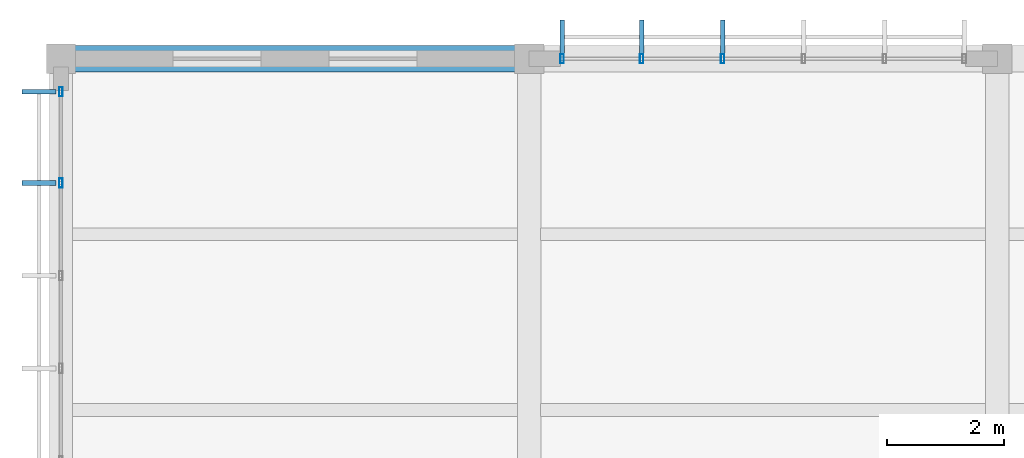
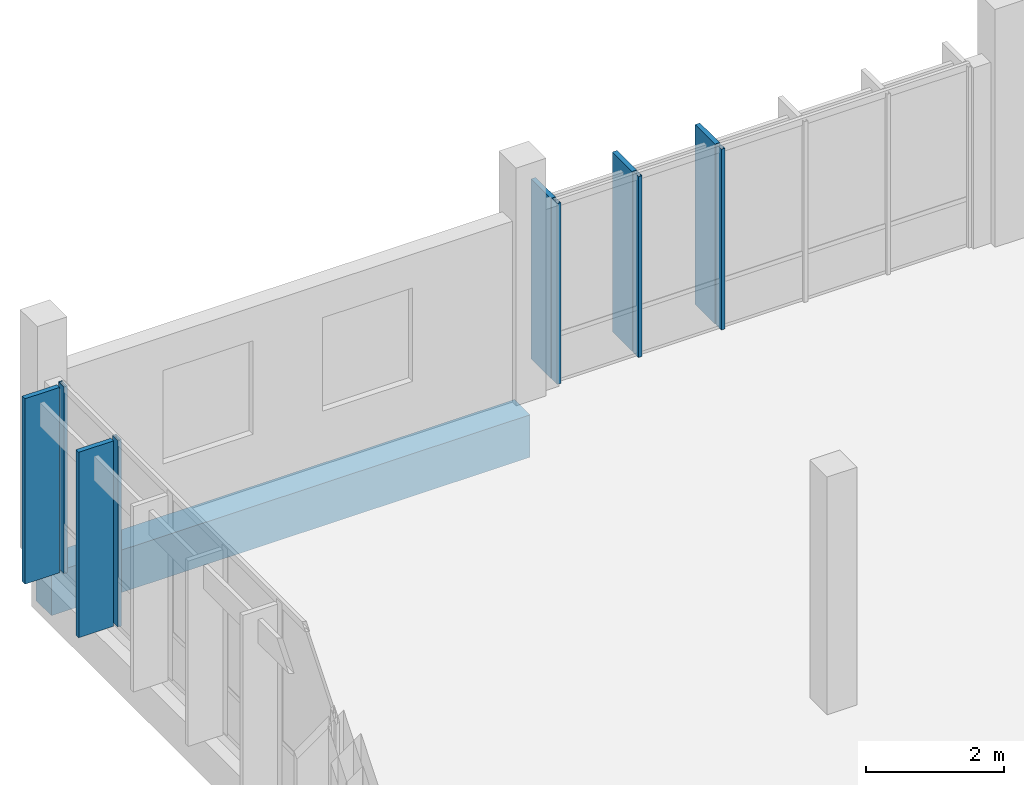
# One storey, part 62 of 107: 10 members, 1 beam, 2 elements without a shape of their own.
"""IFC4 building model written with IfcOpenShell, lengths in metres."""

from ifc_helpers import new_model, si_unit, direction, frame, origin, origin_2d, place, context, subcontext, project, spatial, rectangle, hollow_rectangle, extrude, material, material_profile, profile_set, type_object, element, aggregate, save


model = new_model("IFC4")

# Units and contexts
model_context = context("Model", 3, precision=1e-05, world=origin(), true_north=direction((0.0, 1.0)))
body_context = subcontext(model_context, "Body", "Model", "MODEL_VIEW")
ifc_project = project(units=[si_unit("LENGTHUNIT", "METRE"), si_unit("AREAUNIT", "SQUARE_METRE"), si_unit("VOLUMEUNIT", "CUBIC_METRE"), si_unit("PLANEANGLEUNIT", "RADIAN"), si_unit("MASSUNIT", "GRAM", prefix="KILO")], contexts=[model_context])

# Site, building, storey
site_placement = place(None, origin())
site = spatial("IfcSite", under=ifc_project, at=site_placement, CompositionType="ELEMENT")
building_placement = place(site_placement, origin())
building = spatial("IfcBuilding", under=site, at=building_placement, Name="Chiffa Square Polytechnic", CompositionType="ELEMENT")
storey_placement = place(building_placement, frame((0.0, 0.0, 13.800048828125)))
storey = spatial("IfcBuildingStorey", under=building, at=storey_placement, Name="L03", CompositionType="ELEMENT", Elevation=13.800048828125)

# Beam
ifc_material_1 = material(Name="Concrete C35/45", Category="concrete")
ifc_material_profile_1 = material_profile(ifc_material_1, rectangle(XDim=0.449951171875, YDim=0.75, at=origin_2d()), Name="RC 450x750")
ifc_profile_set_1 = profile_set([ifc_material_profile_1], Name="Concrete C35/45")
beam_type = type_object("IfcBeamType", Name="BM-RC-450X750", PredefinedType="BEAM", material=ifc_profile_set_1)
beam_placement = place(storey_placement, frame((0.0, 130.800048828125, -0.635009765625), z_axis=(1.0, 0.0, 0.0), x_axis=(0.0, 1.0, 0.0)))
element("IfcBeam", 1, at=beam_placement, inside=storey, type_object=beam_type, Name="Primary floor girder BM-V5-L03-X-0000-1308", PredefinedType="BEAM", context=body_context, shape_type="SweptSolid", body=[
    extrude(rectangle(XDim=0.449951171875, YDim=0.75, at=origin_2d()), origin(), (0.0, 0.0, 1.0), 8.0),
])

# Curtain wall, members
ifc_material_2 = material(Name="Aluminium EN AW-6060 T66 and glulam shading", Category="wood")
curtain_wall_type_1 = type_object("IfcCurtainWallType", Name="CW-VERT-480X380", PredefinedType="USERDEFINED", material=ifc_material_2)
curtain_wall_1_placement = place(storey_placement, origin())
curtain_wall_1 = element("IfcCurtainWall", 2, at=curtain_wall_1_placement, inside=storey, type_object=curtain_wall_type_1, Name="Curtain wall CW-V5-L03-238", ObjectType="CURTAIN WALL", PredefinedType="USERDEFINED")
ifc_material_3 = material(Name="Aluminium EN AW-6060 T66", Category="aluminium")
ifc_material_profile_2 = material_profile(ifc_material_3, hollow_rectangle(XDim=0.06005859375, YDim=0.159912109375, WallThickness=0.00390625, at=origin_2d()), Name="ALU 60x160x4")
ifc_profile_set_2 = profile_set([ifc_material_profile_2], Name="Aluminium EN AW-6060 T66")
member_type_1 = type_object("IfcMemberType", Name="CWM-ALU-65X150", PredefinedType="MULLION", material=ifc_profile_set_2)
member_1_placement = place(storey_placement, frame((11.30810546875, 130.800048828125, 0.0), z_axis=(0.0, 0.0, 1.0), x_axis=(1.0, 0.0, 0.0)))
member_1 = element("IfcMember", 3, at=member_1_placement, type_object=member_type_1, Name="Curtain wall mullion CW-V5-L03-238-M03", PredefinedType="MULLION", context=body_context, shape_type="SweptSolid", body=[
    extrude(hollow_rectangle(XDim=0.06005859375, YDim=0.159912109375, WallThickness=0.00390625, at=origin_2d()), origin(), (0.0, 0.0, 1.0), 3.195068359375),
])
member_2_placement = place(storey_placement, frame((9.924072265625, 130.800048828125, 0.0), z_axis=(0.0, 0.0, 1.0), x_axis=(1.0, 0.0, 0.0)))
member_2 = element("IfcMember", 4, at=member_2_placement, type_object=member_type_1, Name="Curtain wall mullion CW-V5-L03-238-M04", PredefinedType="MULLION", context=body_context, shape_type="SweptSolid", body=[
    extrude(hollow_rectangle(XDim=0.06005859375, YDim=0.159912109375, WallThickness=0.00390625, at=origin_2d()), origin(), (0.0, 0.0, 1.0), 3.195068359375),
])
member_3_placement = place(storey_placement, frame((8.56494140625, 130.800048828125, 0.0), z_axis=(0.0, 0.0, 1.0), x_axis=(1.0, 0.0, 0.0)))
member_3 = element("IfcMember", 5, at=member_3_placement, type_object=member_type_1, Name="Curtain wall mullion CW-V5-L03-238-M05", PredefinedType="MULLION", context=body_context, shape_type="SweptSolid", body=[
    extrude(hollow_rectangle(XDim=0.06005859375, YDim=0.159912109375, WallThickness=0.00390625, at=origin_2d()), origin(), (0.0, 0.0, 1.0), 3.195068359375),
])

curtain_wall_type_2 = type_object("IfcCurtainWallType", Name="CW-VERT-540X440", PredefinedType="USERDEFINED", material=ifc_material_2)
curtain_wall_2_placement = place(storey_placement, origin())
curtain_wall_2 = element("IfcCurtainWall", 6, at=curtain_wall_2_placement, inside=storey, type_object=curtain_wall_type_2, Name="Curtain wall CW-V5-L03-239", ObjectType="CURTAIN WALL", PredefinedType="USERDEFINED")
member_4_placement = place(storey_placement, frame((0.0, 130.235107421875, 0.0), z_axis=(0.0, 0.0, 1.0), x_axis=(1.0, 0.0, 0.0)))
member_4 = element("IfcMember", 7, at=member_4_placement, type_object=member_type_1, Name="Curtain wall mullion CW-V5-L03-239-M00", PredefinedType="MULLION", context=body_context, shape_type="SweptSolid", body=[
    extrude(hollow_rectangle(XDim=0.06005859375, YDim=0.159912109375, WallThickness=0.00390625, at=origin_2d()), origin(), (0.0, 0.0, 1.0), 3.294921875),
])
member_5_placement = place(storey_placement, frame((0.0, 128.676025390625, 0.0), z_axis=(0.0, 0.0, 1.0), x_axis=(1.0, 0.0, 0.0)))
member_5 = element("IfcMember", 8, at=member_5_placement, type_object=member_type_1, Name="Curtain wall mullion CW-V5-L03-239-M01", PredefinedType="MULLION", context=body_context, shape_type="SweptSolid", body=[
    extrude(hollow_rectangle(XDim=0.06005859375, YDim=0.159912109375, WallThickness=0.00390625, at=origin_2d()), origin(), (0.0, 0.0, 1.0), 3.294921875),
])

# Member
ifc_material_4 = material(Name="Glulam GL28h", Category="wood")
ifc_material_profile_3 = material_profile(ifc_material_4, rectangle(XDim=0.080078125, YDim=0.580078125, at=origin_2d()), Name="GL28h 80x580")
ifc_profile_set_3 = profile_set([ifc_material_profile_3], Name="Glulam GL28h")
member_type_2 = type_object("IfcMemberType", Name="CWM-GL-80X580", PredefinedType="MULLION", material=ifc_profile_set_3)
member_6_placement = place(storey_placement, frame((11.30810546875, 131.172119140625, 0.010009765625), z_axis=(0.0, 0.0, 1.0), x_axis=(-1.0, 0.0, 0.0)))
member_6 = element("IfcMember", 9, at=member_6_placement, type_object=member_type_2, Name="Exterior glulam solar fin CW-V5-L03-238-FN03", PredefinedType="MULLION", context=body_context, shape_type="SweptSolid", body=[
    extrude(rectangle(XDim=0.080078125, YDim=0.580078125, at=origin_2d()), origin(), (0.0, 0.0, 1.0), 3.175048828125),
])

member_7_placement = place(storey_placement, frame((9.924072265625, 131.172119140625, 0.010009765625), z_axis=(0.0, 0.0, 1.0), x_axis=(-1.0, 0.0, 0.0)))
member_7 = element("IfcMember", 10, at=member_7_placement, type_object=member_type_2, Name="Exterior glulam solar fin CW-V5-L03-238-FN04", PredefinedType="MULLION", context=body_context, shape_type="SweptSolid", body=[
    extrude(rectangle(XDim=0.080078125, YDim=0.580078125, at=origin_2d()), origin(), (0.0, 0.0, 1.0), 3.175048828125),
])

member_8_placement = place(storey_placement, frame((8.56494140625, 131.172119140625, 0.010009765625), z_axis=(0.0, 0.0, 1.0), x_axis=(-1.0, 0.0, 0.0)))
member_8 = element("IfcMember", 11, at=member_8_placement, type_object=member_type_2, Name="Exterior glulam solar fin CW-V5-L03-238-FN05", PredefinedType="MULLION", context=body_context, shape_type="SweptSolid", body=[
    extrude(rectangle(XDim=0.080078125, YDim=0.580078125, at=origin_2d()), origin(), (0.0, 0.0, 1.0), 3.175048828125),
])

aggregate(curtain_wall_1, [member_1, member_6, member_2, member_7, member_3, member_8])

member_9_placement = place(storey_placement, frame((-0.3720703125, 130.235107421875, 0.010009765625), z_axis=(0.0, 0.0, 1.0), x_axis=(0.0, -1.0, 0.0)))
member_9 = element("IfcMember", 12, at=member_9_placement, type_object=member_type_2, Name="Exterior glulam solar fin CW-V5-L03-239-FN00", PredefinedType="MULLION", context=body_context, shape_type="SweptSolid", body=[
    extrude(rectangle(XDim=0.080078125, YDim=0.580078125, at=origin_2d()), origin(), (0.0, 0.0, 1.0), 3.27490234375),
])

member_10_placement = place(storey_placement, frame((-0.3720703125, 128.676025390625, 0.010009765625), z_axis=(0.0, 0.0, 1.0), x_axis=(0.0, -1.0, 0.0)))
member_10 = element("IfcMember", 13, at=member_10_placement, type_object=member_type_2, Name="Exterior glulam solar fin CW-V5-L03-239-FN01", PredefinedType="MULLION", context=body_context, shape_type="SweptSolid", body=[
    extrude(rectangle(XDim=0.080078125, YDim=0.580078125, at=origin_2d()), origin(), (0.0, 0.0, 1.0), 3.27490234375),
])

aggregate(curtain_wall_2, [member_4, member_9, member_5, member_10])

save(model, "model.ifc")
